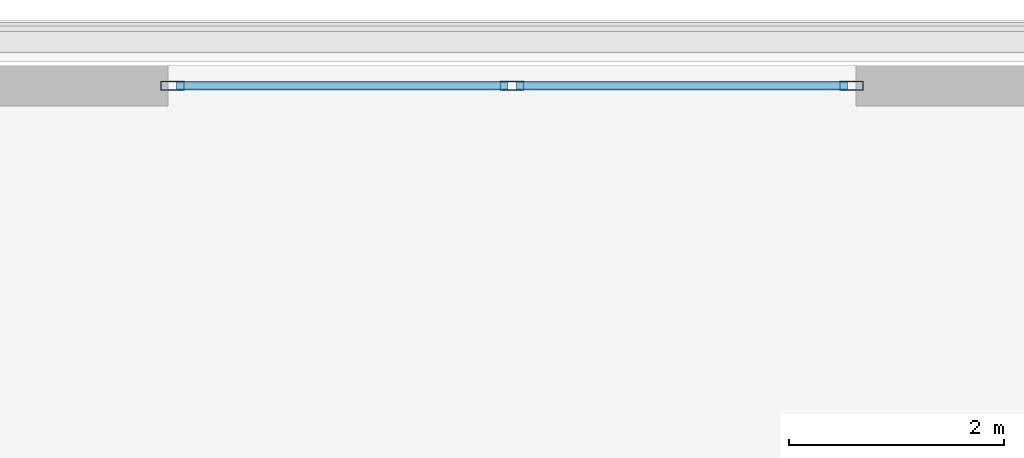
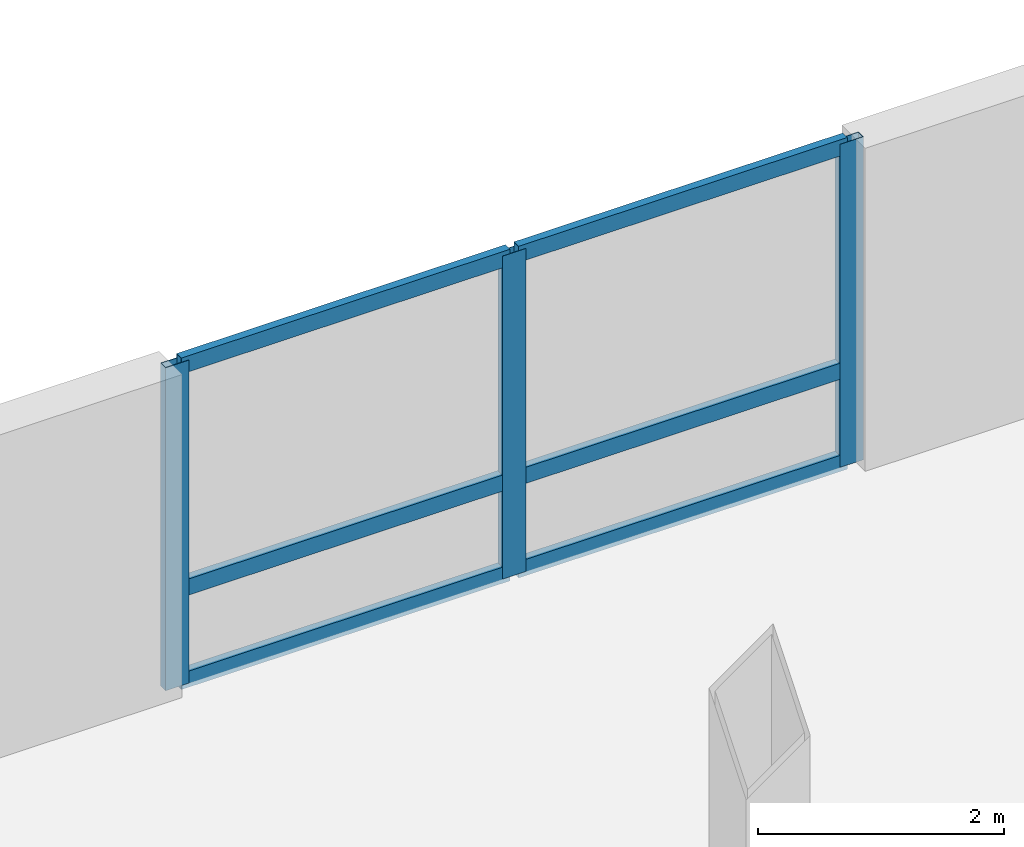
# One storey, part 6 of 16: 9 members, 1 element without a shape of its own.
"""IFC4 building model written with IfcOpenShell, lengths in metres."""

from ifc_helpers import new_model, si_unit, direction, frame, origin, origin_2d, place, context, subcontext, project, spatial, hollow_rectangle, extrude, source, transform, mapped, material, material_profile, profile_set, type_object, element, aggregate, save


model = new_model("IFC4")

# Units and contexts
model_context = context("Model", 3, precision=1e-05, world=origin(), true_north=direction((0.0, 1.0)))
body_context = subcontext(model_context, "Body", "Model", "MODEL_VIEW")
ifc_project = project(units=[si_unit("LENGTHUNIT", "METRE"), si_unit("AREAUNIT", "SQUARE_METRE"), si_unit("VOLUMEUNIT", "CUBIC_METRE"), si_unit("PLANEANGLEUNIT", "RADIAN"), si_unit("MASSUNIT", "GRAM", prefix="KILO")], contexts=[model_context])

# Site, building, storey
site_placement = place(None, origin())
site = spatial("IfcSite", under=ifc_project, at=site_placement, CompositionType="ELEMENT")
building_placement = place(site_placement, origin())
building = spatial("IfcBuilding", under=site, at=building_placement, Name="Olszyna Solenne Hotel", CompositionType="ELEMENT")
storey_placement = place(building_placement, frame((0.0, 0.0, 20.10009765625)))
storey = spatial("IfcBuildingStorey", under=building, at=storey_placement, Name="L04", CompositionType="ELEMENT", Elevation=20.10009765625)

# Curtain wall, members
ifc_material = material(Name="Anodised bronze aluminium", Category="aluminium")
curtain_wall_type = type_object("IfcCurtainWallType", Name="CW-SYS-1", PredefinedType="NOTDEFINED", material=ifc_material)
curtain_wall_placement = place(storey_placement, origin())
curtain_wall = element("IfcCurtainWall", 1, at=curtain_wall_placement, inside=storey, type_object=curtain_wall_type, Name="Unitised curtain wall CW-SYS-1 CW-L04-02", PredefinedType="NOTDEFINED")
ifc_material_profile_1 = material_profile(ifc_material, hollow_rectangle(XDim=0.074951171875, YDim=0.159912109375, WallThickness=0.00390625, at=origin_2d()), Name="TRAN 160x75x4", Category="load-bearing")
ifc_profile_set_1 = profile_set([ifc_material_profile_1], Name="Anodised bronze aluminium")
member_type_1 = type_object("IfcMemberType", Name="CW-T1", PredefinedType="USERDEFINED", material=ifc_profile_set_1)
shared_shape_1 = source(origin(), body_context, "Body", "SweptSolid", [
    extrude(hollow_rectangle(XDim=0.074951171875, YDim=0.159912109375, WallThickness=0.00390625, at=origin_2d()), origin(), (0.0, 0.0, 1.0), 3.080078125),
])
member_1_placement = place(storey_placement, frame((34.8798828125, 48.72998046875, 0.037353515625), z_axis=(1.0, 0.0, 0.0), x_axis=(0.0, 1.0, 0.0)))
member_1 = element("IfcMember", 2, at=member_1_placement, type_object=member_type_1, Name="Curtain-wall transom CW-T1 CT-L04-02-01", ObjectType="TRANSOM", PredefinedType="USERDEFINED", context=body_context, shape_type="MappedRepresentation", body=[
    mapped(shared_shape_1, transform((0.0, 0.0, 0.0), x_axis=(1.0, 0.0, 0.0), y_axis=(0.0, 1.0, 0.0), z_axis=(0.0, 0.0, 1.0), scale=1.0)),
])
member_2_placement = place(storey_placement, frame((34.8798828125, 48.72998046875, 0.949951171875), z_axis=(1.0, 0.0, 0.0), x_axis=(0.0, 1.0, 0.0)))
member_2 = element("IfcMember", 3, at=member_2_placement, type_object=member_type_1, Name="Curtain-wall transom CW-T1 CT-L04-02-02", ObjectType="TRANSOM", PredefinedType="USERDEFINED", context=body_context, shape_type="MappedRepresentation", body=[
    mapped(shared_shape_1, transform((0.0, 0.0, 0.0), x_axis=(1.0, 0.0, 0.0), y_axis=(0.0, 1.0, 0.0), z_axis=(0.0, 0.0, 1.0), scale=1.0)),
])
member_3_placement = place(storey_placement, frame((34.8798828125, 48.72998046875, 3.162353515625), z_axis=(1.0, 0.0, 0.0), x_axis=(0.0, 1.0, 0.0)))
member_3 = element("IfcMember", 4, at=member_3_placement, type_object=member_type_1, Name="Curtain-wall transom CW-T1 CT-L04-02-03", ObjectType="TRANSOM", PredefinedType="USERDEFINED", context=body_context, shape_type="MappedRepresentation", body=[
    mapped(shared_shape_1, transform((0.0, 0.0, 0.0), x_axis=(1.0, 0.0, 0.0), y_axis=(0.0, 1.0, 0.0), z_axis=(0.0, 0.0, 1.0), scale=1.0)),
])
member_4_placement = place(storey_placement, frame((38.0400390625, 48.72998046875, 0.037353515625), z_axis=(1.0, 0.0, 0.0), x_axis=(0.0, 1.0, 0.0)))
member_4 = element("IfcMember", 5, at=member_4_placement, type_object=member_type_1, Name="Curtain-wall transom CW-T1 CT-L04-02-04", ObjectType="TRANSOM", PredefinedType="USERDEFINED", context=body_context, shape_type="MappedRepresentation", body=[
    mapped(shared_shape_1, transform((0.0, 0.0, 0.0), x_axis=(1.0, 0.0, 0.0), y_axis=(0.0, 1.0, 0.0), z_axis=(0.0, 0.0, 1.0), scale=1.0)),
])
member_5_placement = place(storey_placement, frame((38.0400390625, 48.72998046875, 0.949951171875), z_axis=(1.0, 0.0, 0.0), x_axis=(0.0, 1.0, 0.0)))
member_5 = element("IfcMember", 6, at=member_5_placement, type_object=member_type_1, Name="Curtain-wall transom CW-T1 CT-L04-02-05", ObjectType="TRANSOM", PredefinedType="USERDEFINED", context=body_context, shape_type="MappedRepresentation", body=[
    mapped(shared_shape_1, transform((0.0, 0.0, 0.0), x_axis=(1.0, 0.0, 0.0), y_axis=(0.0, 1.0, 0.0), z_axis=(0.0, 0.0, 1.0), scale=1.0)),
])
member_6_placement = place(storey_placement, frame((38.0400390625, 48.72998046875, 3.162353515625), z_axis=(1.0, 0.0, 0.0), x_axis=(0.0, 1.0, 0.0)))
member_6 = element("IfcMember", 7, at=member_6_placement, type_object=member_type_1, Name="Curtain-wall transom CW-T1 CT-L04-02-06", ObjectType="TRANSOM", PredefinedType="USERDEFINED", context=body_context, shape_type="MappedRepresentation", body=[
    mapped(shared_shape_1, transform((0.0, 0.0, 0.0), x_axis=(1.0, 0.0, 0.0), y_axis=(0.0, 1.0, 0.0), z_axis=(0.0, 0.0, 1.0), scale=1.0)),
])
ifc_material_profile_2 = material_profile(ifc_material, hollow_rectangle(XDim=0.080078125, YDim=0.219970703125, WallThickness=0.0048828125, at=origin_2d()), Name="MULL 220x80x5", Category="load-bearing")
ifc_profile_set_2 = profile_set([ifc_material_profile_2], Name="Anodised bronze aluminium")
member_type_2 = type_object("IfcMemberType", Name="CW-M1", PredefinedType="MULLION", material=ifc_profile_set_2)
shared_shape_2 = source(origin(), body_context, "Body", "SweptSolid", [
    extrude(hollow_rectangle(XDim=0.080078125, YDim=0.219970703125, WallThickness=0.0048828125, at=origin_2d()), origin(), (0.0, 0.0, 1.0), 3.199951171875),
])
member_7_placement = place(storey_placement, frame((34.840087890625, 48.72998046875, 0.0), z_axis=(0.0, 0.0, 1.0), x_axis=(0.0, 1.0, 0.0)))
member_7 = element("IfcMember", 8, at=member_7_placement, type_object=member_type_2, Name="Curtain-wall mullion CW-M1 CM-L04-02-01", PredefinedType="MULLION", context=body_context, shape_type="MappedRepresentation", body=[
    mapped(shared_shape_2, transform((0.0, 0.0, 0.0), x_axis=(1.0, 0.0, 0.0), y_axis=(0.0, 1.0, 0.0), z_axis=(0.0, 0.0, 1.0), scale=1.0)),
])
member_8_placement = place(storey_placement, frame((38.0, 48.72998046875, 0.0), z_axis=(0.0, 0.0, 1.0), x_axis=(0.0, 1.0, 0.0)))
member_8 = element("IfcMember", 9, at=member_8_placement, type_object=member_type_2, Name="Curtain-wall mullion CW-M1 CM-L04-02-02", PredefinedType="MULLION", context=body_context, shape_type="MappedRepresentation", body=[
    mapped(shared_shape_2, transform((0.0, 0.0, 0.0), x_axis=(1.0, 0.0, 0.0), y_axis=(0.0, 1.0, 0.0), z_axis=(0.0, 0.0, 1.0), scale=1.0)),
])
member_9_placement = place(storey_placement, frame((41.159912109375, 48.72998046875, 0.0), z_axis=(0.0, 0.0, 1.0), x_axis=(0.0, 1.0, 0.0)))
member_9 = element("IfcMember", 10, at=member_9_placement, type_object=member_type_2, Name="Curtain-wall mullion CW-M1 CM-L04-02-03", PredefinedType="MULLION", context=body_context, shape_type="MappedRepresentation", body=[
    mapped(shared_shape_2, transform((0.0, 0.0, 0.0), x_axis=(1.0, 0.0, 0.0), y_axis=(0.0, 1.0, 0.0), z_axis=(0.0, 0.0, 1.0), scale=1.0)),
])
aggregate(curtain_wall, [member_7, member_8, member_9, member_1, member_2, member_3, member_4, member_5, member_6])

save(model, "model.ifc")
